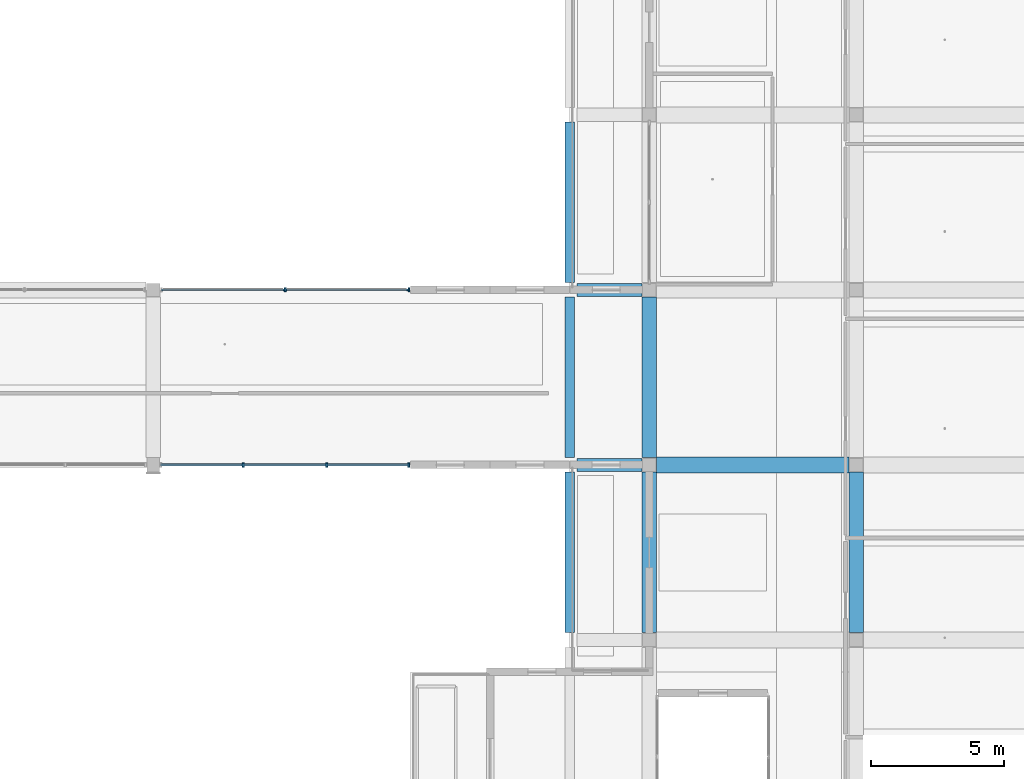
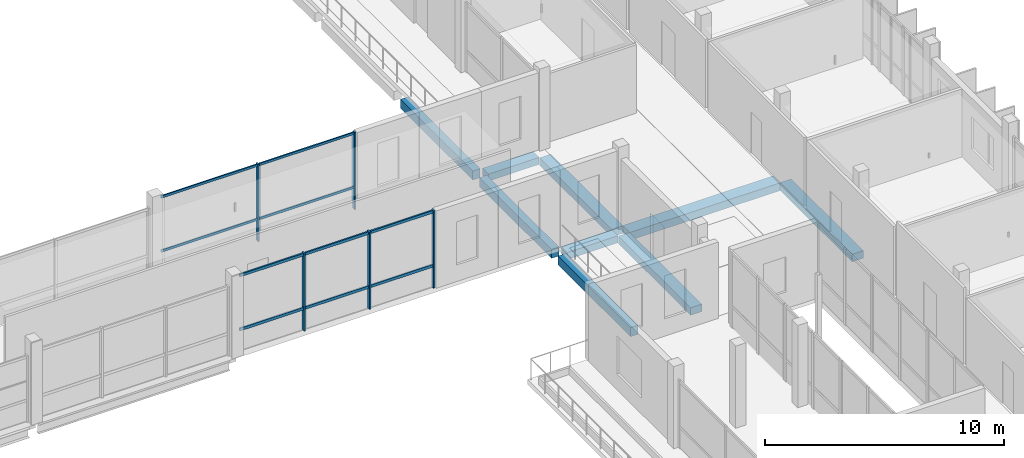
# One storey, part 26 of 85: 9 beams, 9 members, 2 elements without a shape of their own.
"""IFC4 building model written with IfcOpenShell, lengths in metres."""

from ifc_helpers import new_model, si_unit, derived_unit, direction, frame, origin, origin_2d, place, context, subcontext, project, spatial, rectangle, extrude, material, material_profile, profile_set, type_object, element, aggregate, save


model = new_model("IFC4")

# Units and contexts
model_context = context("Model", 3, precision=1e-05, world=origin(), true_north=direction((0.0, 1.0)))
body_context = subcontext(model_context, "Body", "Model", "MODEL_VIEW")
ifc_project = project(units=[si_unit("LENGTHUNIT", "METRE"), si_unit("AREAUNIT", "SQUARE_METRE"), si_unit("VOLUMEUNIT", "CUBIC_METRE"), si_unit("PLANEANGLEUNIT", "RADIAN"), si_unit("MASSUNIT", "GRAM", prefix="KILO"), derived_unit("THERMALTRANSMITTANCEUNIT", [(si_unit("POWERUNIT", "WATT"), 1), (si_unit("LENGTHUNIT", "METRE"), -2), (si_unit("THERMODYNAMICTEMPERATUREUNIT", "KELVIN"), -1)])], contexts=[model_context])

# Site, building, storey
site_placement = place(None, origin())
site = spatial("IfcSite", under=ifc_project, at=site_placement, CompositionType="ELEMENT")
building_placement = place(site_placement, origin())
building = spatial("IfcBuilding", under=site, at=building_placement, Name="Braskholm Square Health Centre", CompositionType="ELEMENT")
storey_placement = place(building_placement, frame((0.0, 0.0, 9.300048828125)))
storey = spatial("IfcBuildingStorey", under=building, at=storey_placement, Name="L03", CompositionType="ELEMENT", Elevation=9.300048828125)

# Curtain wall, members
ifc_material_1 = material(Name="Low-E triple insulating glass (VLT 0.64)", Category="glass")
curtain_wall_type = type_object("IfcCurtainWallType", Name="UnitisedCurtainWall6200x4100", PredefinedType="NOTDEFINED", material=ifc_material_1)
curtain_wall_1_placement = place(storey_placement, origin())
curtain_wall_1 = element("IfcCurtainWall", 1, at=curtain_wall_1_placement, inside=storey, type_object=curtain_wall_type, Name="Portal North L03 unitised curtain wall CW-L03-0212", PredefinedType="NOTDEFINED")
ifc_material_2 = material(Name="Architectural bronze anodised aluminium", Category="aluminium")
ifc_material_profile_1 = material_profile(ifc_material_2, rectangle(XDim=0.06494140625, YDim=0.14990234375, at=origin_2d()), Name="ALU-65X150")
ifc_profile_set_1 = profile_set([ifc_material_profile_1], Name="Architectural bronze anodised aluminium")
member_type_1 = type_object("IfcMemberType", Name="CurtainWallMullion65x150", PredefinedType="MULLION", material=ifc_profile_set_1)
member_1_placement = place(storey_placement, frame((139.73828125, 93.800048828125, 0.0), z_axis=(0.0, 0.0, 1.0), x_axis=(1.0, 0.0, 0.0)))
member_1 = element("IfcMember", 2, at=member_1_placement, type_object=member_type_1, Name="CW-L03-0212 vertical mullion 1", PredefinedType="MULLION", context=body_context, shape_type="SweptSolid", body=[
    extrude(rectangle(XDim=0.06494140625, YDim=0.14990234375, at=origin_2d()), origin(), (0.0, 0.0, 1.0), 3.949951171875),
])
member_2_placement = place(storey_placement, frame((135.073486328125, 93.800048828125, 0.0), z_axis=(0.0, 0.0, 1.0), x_axis=(1.0, 0.0, 0.0)))
member_2 = element("IfcMember", 3, at=member_2_placement, type_object=member_type_1, Name="CW-L03-0212 vertical mullion 2", PredefinedType="MULLION", context=body_context, shape_type="SweptSolid", body=[
    extrude(rectangle(XDim=0.06494140625, YDim=0.14990234375, at=origin_2d()), origin(), (0.0, 0.0, 1.0), 3.949951171875),
])

curtain_wall_2_placement = place(storey_placement, origin())
curtain_wall_2 = element("IfcCurtainWall", 4, at=curtain_wall_2_placement, inside=storey, type_object=curtain_wall_type, Name="Hall Clerestory L03 unitised curtain wall CW-L03-0209", PredefinedType="NOTDEFINED")
ifc_material_profile_2 = material_profile(ifc_material_2, rectangle(XDim=0.074951171875, YDim=0.179931640625, at=origin_2d()), Name="ALU-75X180")
ifc_profile_set_2 = profile_set([ifc_material_profile_2], Name="Architectural bronze anodised aluminium")
member_type_2 = type_object("IfcMemberType", Name="CurtainWallMullion75x180", PredefinedType="MULLION", material=ifc_profile_set_2)
member_3_placement = place(storey_placement, frame((133.486328125, 87.199951171875, 0.0), z_axis=(0.0, 0.0, 1.0), x_axis=(1.0, 0.0, 0.0)))
member_3 = element("IfcMember", 5, at=member_3_placement, type_object=member_type_2, Name="CW-L03-0209 vertical mullion 2", PredefinedType="MULLION", context=body_context, shape_type="SweptSolid", body=[
    extrude(rectangle(XDim=0.074951171875, YDim=0.179931640625, at=origin_2d()), origin(), (0.0, 0.0, 1.0), 3.949951171875),
])
member_4_placement = place(storey_placement, frame((136.640625, 87.199951171875, 0.0), z_axis=(0.0, 0.0, 1.0), x_axis=(1.0, 0.0, 0.0)))
member_4 = element("IfcMember", 6, at=member_4_placement, type_object=member_type_2, Name="CW-L03-0209 vertical mullion 3", PredefinedType="MULLION", context=body_context, shape_type="SweptSolid", body=[
    extrude(rectangle(XDim=0.074951171875, YDim=0.179931640625, at=origin_2d()), origin(), (0.0, 0.0, 1.0), 3.949951171875),
])
member_5_placement = place(storey_placement, frame((139.73828125, 87.199951171875, 0.0), z_axis=(0.0, 0.0, 1.0), x_axis=(1.0, 0.0, 0.0)))
member_5 = element("IfcMember", 7, at=member_5_placement, type_object=member_type_2, Name="CW-L03-0209 vertical mullion 4", PredefinedType="MULLION", context=body_context, shape_type="SweptSolid", body=[
    extrude(rectangle(XDim=0.074951171875, YDim=0.179931640625, at=origin_2d()), origin(), (0.0, 0.0, 1.0), 3.949951171875),
])

# Member
ifc_material_profile_3 = material_profile(ifc_material_2, rectangle(XDim=0.06494140625, YDim=0.1201171875, at=origin_2d()), Name="ALU-65X120")
ifc_profile_set_3 = profile_set([ifc_material_profile_3], Name="Architectural bronze anodised aluminium")
member_type_3 = type_object("IfcMemberType", Name="CurtainWallTransom65x120", PredefinedType="USERDEFINED", material=ifc_profile_set_3)
member_6_placement = place(storey_placement, frame((139.75, 93.800048828125, 1.119873046875), z_axis=(-1.0, 0.0, 0.0), x_axis=(0.0, -1.0, 0.0)))
member_6 = element("IfcMember", 8, at=member_6_placement, type_object=member_type_3, Name="CW-L03-0212 horizontal transom 1", ObjectType="TRANSOM", PredefinedType="USERDEFINED", context=body_context, shape_type="SweptSolid", body=[
    extrude(rectangle(XDim=0.06494140625, YDim=0.1201171875, at=origin_2d()), origin(), (0.0, 0.0, 1.0), 9.35302734375),
])

member_7_placement = place(storey_placement, frame((139.75, 93.800048828125, 3.8798828125), z_axis=(-1.0, 0.0, 0.0), x_axis=(0.0, -1.0, 0.0)))
member_7 = element("IfcMember", 9, at=member_7_placement, type_object=member_type_3, Name="CW-L03-0212 horizontal transom 2", ObjectType="TRANSOM", PredefinedType="USERDEFINED", context=body_context, shape_type="SweptSolid", body=[
    extrude(rectangle(XDim=0.06494140625, YDim=0.1201171875, at=origin_2d()), origin(), (0.0, 0.0, 1.0), 9.35302734375),
])

aggregate(curtain_wall_1, [member_1, member_2, member_6, member_7])

ifc_material_profile_4 = material_profile(ifc_material_2, rectangle(XDim=0.074951171875, YDim=0.139892578125, at=origin_2d()), Name="ALU-75X140")
ifc_profile_set_4 = profile_set([ifc_material_profile_4], Name="Architectural bronze anodised aluminium")
member_type_4 = type_object("IfcMemberType", Name="CurtainWallTransom75x140", PredefinedType="USERDEFINED", material=ifc_profile_set_4)
member_8_placement = place(storey_placement, frame((130.376953125, 87.199951171875, 1.119873046875), z_axis=(1.0, 0.0, 0.0), x_axis=(0.0, 1.0, 0.0)))
member_8 = element("IfcMember", 10, at=member_8_placement, type_object=member_type_4, Name="CW-L03-0209 horizontal transom 1", ObjectType="TRANSOM", PredefinedType="USERDEFINED", context=body_context, shape_type="SweptSolid", body=[
    extrude(rectangle(XDim=0.074951171875, YDim=0.139892578125, at=origin_2d()), origin(), (0.0, 0.0, 1.0), 9.373046875),
])

member_9_placement = place(storey_placement, frame((130.376953125, 87.199951171875, 3.8798828125), z_axis=(1.0, 0.0, 0.0), x_axis=(0.0, 1.0, 0.0)))
member_9 = element("IfcMember", 11, at=member_9_placement, type_object=member_type_4, Name="CW-L03-0209 horizontal transom 2", ObjectType="TRANSOM", PredefinedType="USERDEFINED", context=body_context, shape_type="SweptSolid", body=[
    extrude(rectangle(XDim=0.074951171875, YDim=0.139892578125, at=origin_2d()), origin(), (0.0, 0.0, 1.0), 9.373046875),
])

aggregate(curtain_wall_2, [member_3, member_4, member_5, member_8, member_9])

# Beams
ifc_material_3 = material(Name="Concrete C35/45 (f'c = 35 MPa)", Category="concrete")
ifc_material_profile_5 = material_profile(ifc_material_3, rectangle(XDim=0.5, YDim=0.360107421875, at=origin_2d()), Name="RCB-500X360")
ifc_profile_set_5 = profile_set([ifc_material_profile_5], Name="Concrete C35/45 (f'c = 35 MPa)")
beam_type_1 = type_object("IfcBeamType", Name="PrimaryBandBeam500x360", PredefinedType="BEAM", material=ifc_profile_set_5)
for number, where, z_axis, x_axis, name in (
    (12, (146.074951171875, 87.199951171875, -0.47998046875), (1.0, 0.0, 0.0), (0.0, 1.0, 0.0), "Beam 19-20/N L03"),
    (13, (146.074951171875, 93.800048828125, -0.47998046875), (1.0, 0.0, 0.0), (0.0, 1.0, 0.0), "Beam 19-20/P L03"),
):
    element("IfcBeam", number, at=place(storey_placement, frame(where, z_axis=z_axis, x_axis=x_axis)), inside=storey, type_object=beam_type_1, Name=name, PredefinedType="BEAM", context=body_context, shape_type="SweptSolid", body=[
        extrude(rectangle(XDim=0.5, YDim=0.360107421875, at=origin_2d()), origin(), (0.0, 0.0, 1.0), 2.449951171875),
    ])
ifc_material_profile_6 = material_profile(ifc_material_3, rectangle(XDim=0.550048828125, YDim=0.3798828125, at=origin_2d()), Name="RCB-550X380")
ifc_profile_set_6 = profile_set([ifc_material_profile_6], Name="Concrete C35/45 (f'c = 35 MPa)")
beam_type_2 = type_object("IfcBeamType", Name="PrimaryBandBeam550x380", PredefinedType="BEAM", material=ifc_profile_set_6)
beam_1_placement = place(storey_placement, frame((148.800048828125, 80.875, -0.489990234375), z_axis=(0.0, 1.0, 0.0), x_axis=(-1.0, 0.0, 0.0)))
element("IfcBeam", 14, at=beam_1_placement, inside=storey, type_object=beam_type_2, Name="Beam 20/M-N L03", PredefinedType="BEAM", context=body_context, shape_type="SweptSolid", body=[
    extrude(rectangle(XDim=0.550048828125, YDim=0.3798828125, at=origin_2d()), origin(), (0.0, 0.0, 1.0), 6.050048828125),
])
beam_2_placement = place(storey_placement, frame((148.800048828125, 87.47509765625, -0.489990234375), z_axis=(0.0, 1.0, 0.0), x_axis=(-1.0, 0.0, 0.0)))
element("IfcBeam", 15, at=beam_2_placement, inside=storey, type_object=beam_type_2, Name="Beam 20/N-P L03", PredefinedType="BEAM", context=body_context, shape_type="SweptSolid", body=[
    extrude(rectangle(XDim=0.550048828125, YDim=0.3798828125, at=origin_2d()), origin(), (0.0, 0.0, 1.0), 6.0498046875),
])
beam_3_placement = place(storey_placement, frame((156.60009765625, 80.875, -0.489990234375), z_axis=(0.0, 1.0, 0.0), x_axis=(-1.0, 0.0, 0.0)))
element("IfcBeam", 16, at=beam_3_placement, inside=storey, type_object=beam_type_2, Name="Beam 21/M-N L03", PredefinedType="BEAM", context=body_context, shape_type="SweptSolid", body=[
    extrude(rectangle(XDim=0.550048828125, YDim=0.3798828125, at=origin_2d()), origin(), (0.0, 0.0, 1.0), 6.050048828125),
])
ifc_material_profile_7 = material_profile(ifc_material_3, rectangle(XDim=0.60009765625, YDim=0.39990234375, at=origin_2d()), Name="RCB-600X400")
ifc_profile_set_7 = profile_set([ifc_material_profile_7], Name="Concrete C35/45 (f'c = 35 MPa)")
beam_type_3 = type_object("IfcBeamType", Name="PrimaryBandBeam600x400", PredefinedType="BEAM", material=ifc_profile_set_7)
beam_4_placement = place(storey_placement, frame((149.074951171875, 87.199951171875, -0.5), z_axis=(1.0, 0.0, 0.0), x_axis=(0.0, 1.0, 0.0)))
element("IfcBeam", 17, at=beam_4_placement, inside=storey, type_object=beam_type_3, Name="Beam 20-21/N L03", PredefinedType="BEAM", context=body_context, shape_type="SweptSolid", body=[
    extrude(rectangle(XDim=0.60009765625, YDim=0.39990234375, at=origin_2d()), origin(), (0.0, 0.0, 1.0), 7.25),
])
ifc_material_4 = material(Name="Precast concrete C40/50 architectural white", Category="concrete")
ifc_material_profile_8 = material_profile(ifc_material_4, rectangle(XDim=0.360107421875, YDim=0.4599609375, at=origin_2d()), Name="RCB-360X460")
ifc_profile_set_8 = profile_set([ifc_material_profile_8], Name="Precast concrete C40/50 architectural white")
beam_type_4 = type_object("IfcBeamType", Name="SpandrelTerraceEdge360x460", PredefinedType="SPANDREL", material=ifc_profile_set_8)
beam_5_placement = place(storey_placement, frame((145.800048828125, 80.875, -0.530029296875), z_axis=(0.0, 1.0, 0.0), x_axis=(-1.0, 0.0, 0.0)))
element("IfcBeam", 18, at=beam_5_placement, inside=storey, type_object=beam_type_4, Name="Beam 19/M-N L03", PredefinedType="SPANDREL", context=body_context, shape_type="SweptSolid", body=[
    extrude(rectangle(XDim=0.360107421875, YDim=0.4599609375, at=origin_2d()), origin(), (0.0, 0.0, 1.0), 6.050048828125),
])
beam_6_placement = place(storey_placement, frame((145.800048828125, 87.47509765625, -0.530029296875), z_axis=(0.0, 1.0, 0.0), x_axis=(-1.0, 0.0, 0.0)))
element("IfcBeam", 19, at=beam_6_placement, inside=storey, type_object=beam_type_4, Name="Beam 19/N-P L03", PredefinedType="SPANDREL", context=body_context, shape_type="SweptSolid", body=[
    extrude(rectangle(XDim=0.360107421875, YDim=0.4599609375, at=origin_2d()), origin(), (0.0, 0.0, 1.0), 6.0498046875),
])
beam_7_placement = place(storey_placement, frame((145.800048828125, 94.074951171875, -0.530029296875), z_axis=(0.0, 1.0, 0.0), x_axis=(-1.0, 0.0, 0.0)))
element("IfcBeam", 20, at=beam_7_placement, inside=storey, type_object=beam_type_4, Name="Beam 19/P-Q L03", PredefinedType="SPANDREL", context=body_context, shape_type="SweptSolid", body=[
    extrude(rectangle(XDim=0.360107421875, YDim=0.4599609375, at=origin_2d()), origin(), (0.0, 0.0, 1.0), 6.050048828125),
])

save(model, "model.ifc")
